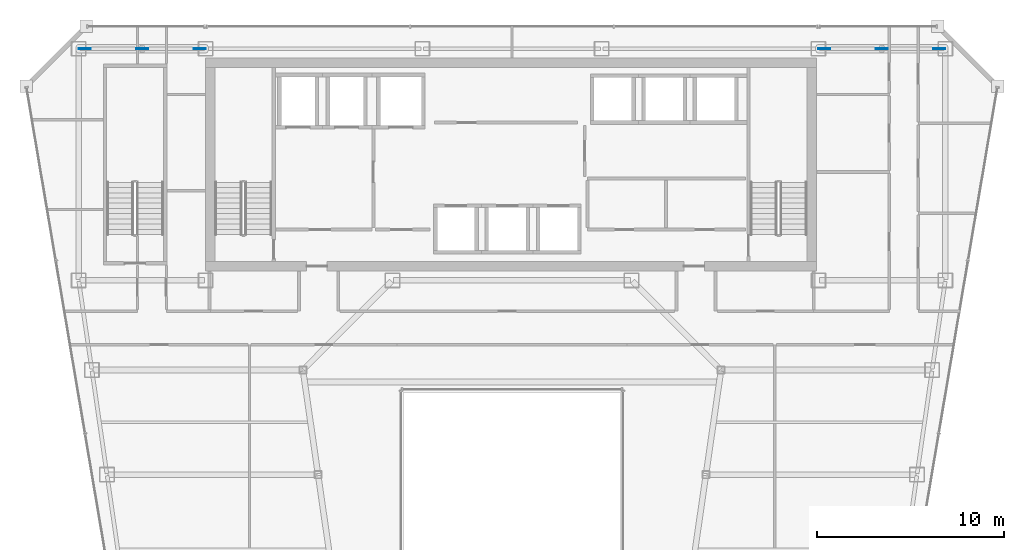
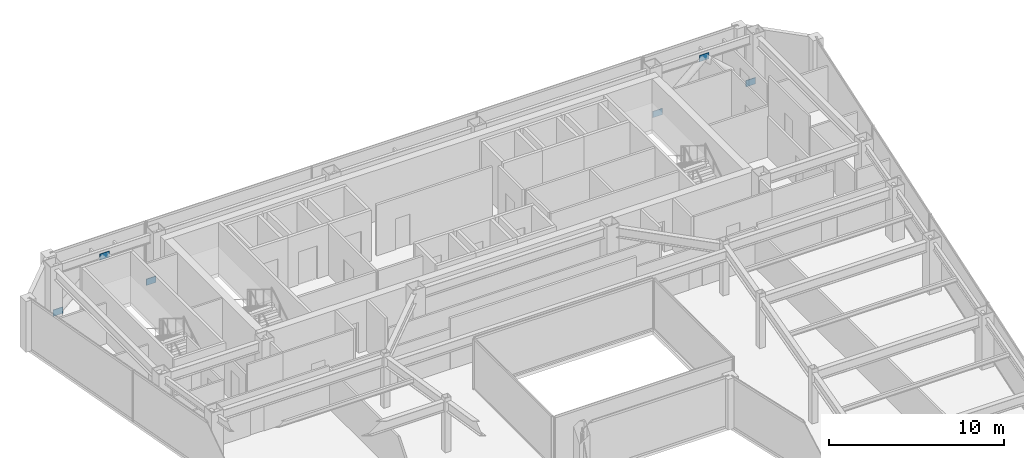
# One storey, part 29 of 35: 6 plates.
"""IFC4 building model written with IfcOpenShell, lengths in metres."""

from ifc_helpers import new_model, si_unit, direction, frame, origin, origin_2d, place, context, subcontext, project, spatial, rectangle, extrude, material, layer, layer_set, type_object, element, save


model = new_model("IFC4")

# Units and contexts
model_context = context("Model", 3, precision=1e-05, world=origin(), true_north=direction((0.0, 1.0)))
body_context = subcontext(model_context, "Body", "Model", "MODEL_VIEW")
ifc_project = project(units=[si_unit("LENGTHUNIT", "METRE"), si_unit("AREAUNIT", "SQUARE_METRE"), si_unit("VOLUMEUNIT", "CUBIC_METRE"), si_unit("PLANEANGLEUNIT", "RADIAN"), si_unit("MASSUNIT", "GRAM", prefix="KILO")], contexts=[model_context])

# Site, building, storey
site_placement = place(None, origin())
site = spatial("IfcSite", under=ifc_project, at=site_placement, CompositionType="ELEMENT")
building_placement = place(site_placement, origin())
building = spatial("IfcBuilding", under=site, at=building_placement, Name="Saevonmaru Cultural Tower", CompositionType="ELEMENT")
storey_placement = place(building_placement, frame((0.0, 0.0, 217.0)))
storey = spatial("IfcBuildingStorey", under=building, at=storey_placement, Name="L50", CompositionType="ELEMENT", Elevation=217.0)

# Plates
ifc_material = material(Name="Steel HSA600 (600 MPa)", Category="steel")
ifc_layer = layer(ifc_material, 0.0400390625, Name="Steel HSA600 (600 MPa)")
ifc_layer_set = layer_set([ifc_layer], Name="Steel HSA600 (600 MPa)")
plate_type = type_object("IfcPlateType", Name="PL-GUSSET-EXT", PredefinedType="USERDEFINED", material=ifc_layer_set)
for number, where, z_axis, x_axis, name in (
    (1, (10.199951171875, 54.800048828125, 2.85009765625), (0.0, 0.0, 1.0), (1.0, 0.0, 0.0), "L50 Perimeter Tube Gusset Plate"),
    (2, (7.1201171875, 54.800048828125, 0.02001953125), (0.0, 0.0, 1.0), (1.0, 0.0, 0.0), "L50 Perimeter Tube Gusset Plate"),
    (3, (13.280029296875, 54.800048828125, 0.02001953125), (0.0, 0.0, 1.0), (1.0, 0.0, 0.0), "L50 Perimeter Tube Gusset Plate"),
    (4, (49.800048828125, 54.800048828125, 2.85009765625), (0.0, 0.0, 1.0), (1.0, 0.0, 0.0), "L50 Perimeter Tube Gusset Plate"),
    (5, (46.719970703125, 54.800048828125, 0.02001953125), (0.0, 0.0, 1.0), (1.0, 0.0, 0.0), "L50 Perimeter Tube Gusset Plate"),
    (6, (52.8798828125, 54.800048828125, 0.02001953125), (0.0, 0.0, 1.0), (1.0, 0.0, 0.0), "L50 Perimeter Tube Gusset Plate"),
):
    element("IfcPlate", number, at=place(storey_placement, frame(where, z_axis=z_axis, x_axis=x_axis)), inside=storey, type_object=plate_type, Name=name, ObjectType="GUSSET_PLATE", PredefinedType="USERDEFINED", context=body_context, shape_type="SweptSolid", body=[
        extrude(rectangle(XDim=0.639892578125, YDim=0.0400390625, at=origin_2d()), origin(), (0.0, 0.0, 1.0), 0.43994140625),
    ])

save(model, "model.ifc")
